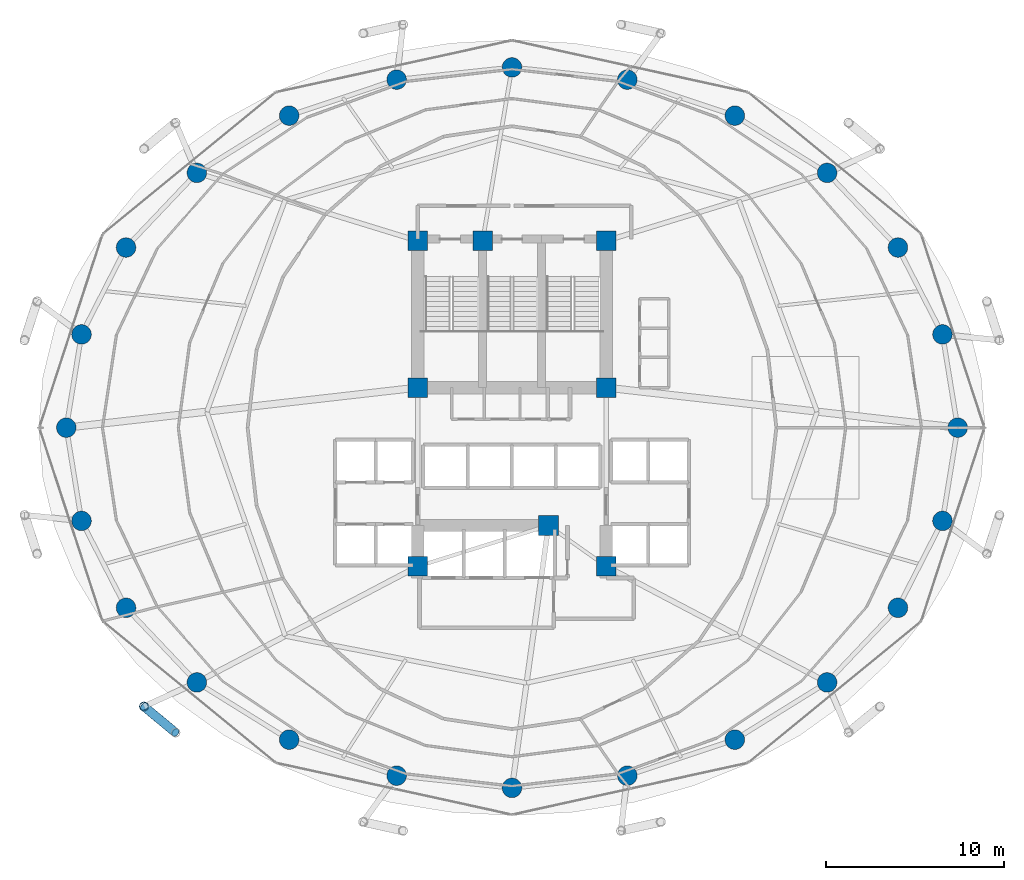
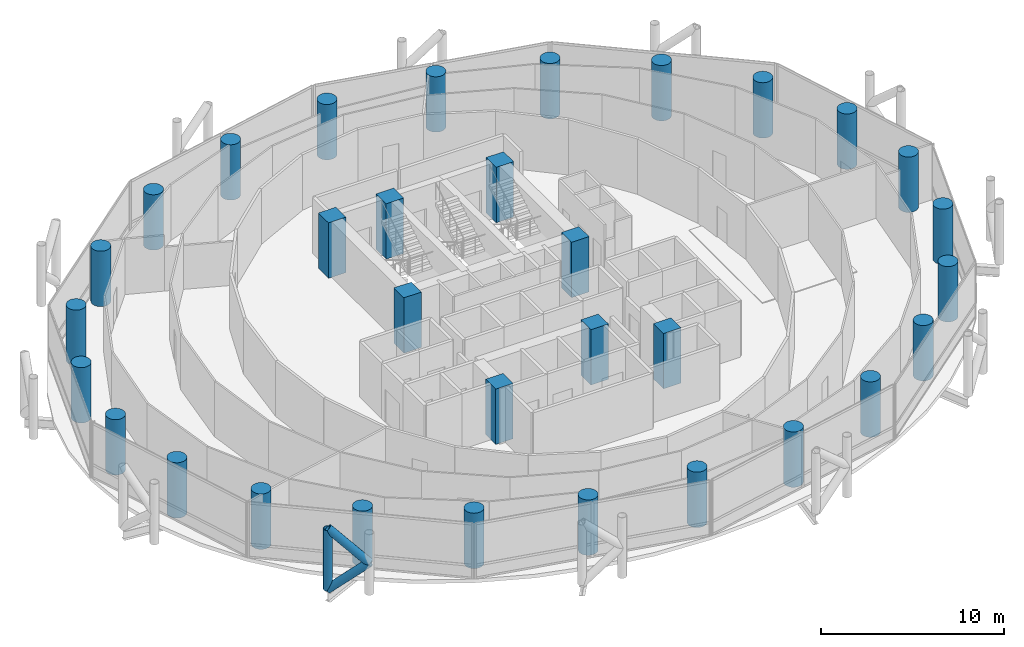
# One storey, part 1 of 27: 32 columns, 3 members.
"""IFC4 building model written with IfcOpenShell, lengths in metres."""

from ifc_helpers import new_model, si_unit, direction, frame, origin, origin_2d, place, context, subcontext, project, spatial, rectangle, circle, hollow_circle, extrude, material, material_profile, profile_set, type_object, element, save


model = new_model("IFC4")

# Units and contexts
model_context = context("Model", 3, precision=1e-05, world=origin(), true_north=direction((0.0, 1.0)))
body_context = subcontext(model_context, "Body", "Model", "MODEL_VIEW")
ifc_project = project(units=[si_unit("LENGTHUNIT", "METRE"), si_unit("AREAUNIT", "SQUARE_METRE"), si_unit("VOLUMEUNIT", "CUBIC_METRE"), si_unit("PLANEANGLEUNIT", "RADIAN"), si_unit("MASSUNIT", "GRAM", prefix="KILO")], contexts=[model_context])

# Site, building, storey
site_placement = place(None, origin())
site = spatial("IfcSite", under=ifc_project, at=site_placement, CompositionType="ELEMENT")
building_placement = place(site_placement, origin())
building = spatial("IfcBuilding", under=site, at=building_placement, Name="Nuhasar Tower", CompositionType="ELEMENT")
storey_placement = place(building_placement, frame((0.0, 0.0, 102.0)))
storey = spatial("IfcBuildingStorey", under=building, at=storey_placement, Name="L24", CompositionType="ELEMENT", Elevation=102.0)

# Columns
ifc_material_1 = material(Name="Concrete C80/95", Category="concrete")
ifc_material_profile_1 = material_profile(ifc_material_1, circle(Radius=0.550048828125, at=origin_2d()), Name="CFT1100")
ifc_profile_set_1 = profile_set([ifc_material_profile_1], Name="Concrete C80/95")
column_type_1 = type_object("IfcColumnType", Name="COL-CFT-1100", PredefinedType="COLUMN", material=ifc_profile_set_1)
for number, where, z_axis, x_axis, name in (
    (1, (64.050048828125, 26.800048828125, 0.0), (0.0, 0.0, 1.0), (1.0, 0.0, 0.0), "L24 Perimeter Composite Column TC-01"),
    (2, (63.196044921875, 32.041015625, 0.0), (0.0, 0.0, 1.0), (1.0, 0.0, 0.0), "L24 Perimeter Composite Column TC-02"),
    (3, (60.694091796875, 36.925048828125, 0.0), (0.0, 0.0, 1.0), (1.0, 0.0, 0.0), "L24 Perimeter Composite Column TC-03"),
    (4, (56.712890625, 41.118896484375, 0.0), (0.0, 0.0, 1.0), (1.0, 0.0, 0.0), "L24 Perimeter Composite Column TC-04"),
    (5, (51.52490234375, 44.3369140625, 0.0), (0.0, 0.0, 1.0), (1.0, 0.0, 0.0), "L24 Perimeter Composite Column TC-05"),
    (6, (45.48291015625, 46.360107421875, 0.0), (0.0, 0.0, 1.0), (1.0, 0.0, 0.0), "L24 Perimeter Composite Column TC-06"),
    (7, (39.0, 47.050048828125, 0.0), (0.0, 0.0, 1.0), (1.0, 0.0, 0.0), "L24 Perimeter Composite Column TC-07"),
    (8, (32.51708984375, 46.360107421875, 0.0), (0.0, 0.0, 1.0), (1.0, 0.0, 0.0), "L24 Perimeter Composite Column TC-08"),
    (9, (26.47509765625, 44.3369140625, 0.0), (0.0, 0.0, 1.0), (1.0, 0.0, 0.0), "L24 Perimeter Composite Column TC-09"),
    (10, (21.287109375, 41.118896484375, 0.0), (0.0, 0.0, 1.0), (1.0, 0.0, 0.0), "L24 Perimeter Composite Column TC-10"),
    (11, (17.305908203125, 36.925048828125, 0.0), (0.0, 0.0, 1.0), (1.0, 0.0, 0.0), "L24 Perimeter Composite Column TC-11"),
    (12, (14.803955078125, 32.041015625, 0.0), (0.0, 0.0, 1.0), (1.0, 0.0, 0.0), "L24 Perimeter Composite Column TC-12"),
    (13, (13.949951171875, 26.800048828125, 0.0), (0.0, 0.0, 1.0), (1.0, 0.0, 0.0), "L24 Perimeter Composite Column TC-13"),
    (14, (14.803955078125, 21.55908203125, 0.0), (0.0, 0.0, 1.0), (1.0, 0.0, 0.0), "L24 Perimeter Composite Column TC-14"),
    (15, (17.305908203125, 16.675048828125, 0.0), (0.0, 0.0, 1.0), (1.0, 0.0, 0.0), "L24 Perimeter Composite Column TC-15"),
    (16, (21.287109375, 12.48095703125, 0.0), (0.0, 0.0, 1.0), (1.0, 0.0, 0.0), "L24 Perimeter Composite Column TC-16"),
    (17, (26.47509765625, 9.262939453125, 0.0), (0.0, 0.0, 1.0), (1.0, 0.0, 0.0), "L24 Perimeter Composite Column TC-17"),
    (18, (32.51708984375, 7.239990234375, 0.0), (0.0, 0.0, 1.0), (1.0, 0.0, 0.0), "L24 Perimeter Composite Column TC-18"),
    (19, (39.0, 6.550048828125, 0.0), (0.0, 0.0, 1.0), (1.0, 0.0, 0.0), "L24 Perimeter Composite Column TC-19"),
    (20, (45.48291015625, 7.239990234375, 0.0), (0.0, 0.0, 1.0), (1.0, 0.0, 0.0), "L24 Perimeter Composite Column TC-20"),
    (21, (51.52490234375, 9.262939453125, 0.0), (0.0, 0.0, 1.0), (1.0, 0.0, 0.0), "L24 Perimeter Composite Column TC-21"),
    (22, (56.712890625, 12.48095703125, 0.0), (0.0, 0.0, 1.0), (1.0, 0.0, 0.0), "L24 Perimeter Composite Column TC-22"),
    (23, (60.694091796875, 16.675048828125, 0.0), (0.0, 0.0, 1.0), (1.0, 0.0, 0.0), "L24 Perimeter Composite Column TC-23"),
    (24, (63.196044921875, 21.55908203125, 0.0), (0.0, 0.0, 1.0), (1.0, 0.0, 0.0), "L24 Perimeter Composite Column TC-24"),
):
    element("IfcColumn", number, at=place(storey_placement, frame(where, z_axis=z_axis, x_axis=x_axis)), inside=storey, type_object=column_type_1, Name=name, PredefinedType="COLUMN", context=body_context, shape_type="SweptSolid", body=[
        extrude(circle(Radius=0.550048828125, at=origin_2d()), origin(), (0.0, 0.0, 1.0), 3.699951171875),
    ])
ifc_material_profile_2 = material_profile(ifc_material_1, rectangle(XDim=1.10009765625, YDim=1.10009765625, at=origin_2d()), Name="RC1100X1100")
ifc_profile_set_2 = profile_set([ifc_material_profile_2], Name="Concrete C80/95")
column_type_2 = type_object("IfcColumnType", Name="PIL-RC-1100", PredefinedType="PILASTER", material=ifc_profile_set_2)
for number, where, z_axis, x_axis, name in (
    (25, (33.699951171875, 19.0, 0.0), (0.0, 0.0, 1.0), (1.0, 0.0, 0.0), "L24 Core Boundary Pilaster CC-01"),
    (26, (41.050048828125, 21.300048828125, 0.0), (0.0, 0.0, 1.0), (1.0, 0.0, 0.0), "L24 Core Boundary Pilaster CC-02"),
    (27, (44.300048828125, 19.0, 0.0), (0.0, 0.0, 1.0), (1.0, 0.0, 0.0), "L24 Core Boundary Pilaster CC-03"),
    (28, (44.300048828125, 29.050048828125, 0.0), (0.0, 0.0, 1.0), (1.0, 0.0, 0.0), "L24 Core Boundary Pilaster CC-04"),
    (29, (44.300048828125, 37.300048828125, 0.0), (0.0, 0.0, 1.0), (1.0, 0.0, 0.0), "L24 Core Boundary Pilaster CC-05"),
    (30, (37.35009765625, 37.300048828125, 0.0), (0.0, 0.0, 1.0), (1.0, 0.0, 0.0), "L24 Core Boundary Pilaster CC-06"),
    (31, (33.699951171875, 37.300048828125, 0.0), (0.0, 0.0, 1.0), (1.0, 0.0, 0.0), "L24 Core Boundary Pilaster CC-07"),
    (32, (33.699951171875, 29.050048828125, 0.0), (0.0, 0.0, 1.0), (1.0, 0.0, 0.0), "L24 Core Boundary Pilaster CC-08"),
):
    element("IfcColumn", number, at=place(storey_placement, frame(where, z_axis=z_axis, x_axis=x_axis)), inside=storey, type_object=column_type_2, Name=name, PredefinedType="PILASTER", context=body_context, shape_type="SweptSolid", body=[
        extrude(rectangle(XDim=1.10009765625, YDim=1.10009765625, at=origin_2d()), origin(), (0.0, 0.0, 1.0), 3.699951171875),
    ])

# Members
ifc_material_2 = material(Name="Steel S460", Category="steel")
ifc_material_profile_3 = material_profile(ifc_material_2, hollow_circle(Radius=0.25390625, WallThickness=0.025390625, at=origin_2d()), Name="HSS508X25.4")
ifc_profile_set_3 = profile_set([ifc_material_profile_3], Name="Steel S460")
member_type = type_object("IfcMemberType", Name="EXO-BRONZE-508", PredefinedType="BRACE", material=ifc_profile_set_3)
member_1_placement = place(storey_placement, frame((18.31494140625, 11.12890625, 0.0), z_axis=(0.0, 0.0, 1.0), x_axis=(1.0, 0.0, 0.0)))
element("IfcMember", 33, at=member_1_placement, inside=storey, type_object=member_type, Name="L24 Exoskeleton Chord Column EC-08A", PredefinedType="BRACE", context=body_context, shape_type="SweptSolid", body=[
    extrude(hollow_circle(Radius=0.25390625, WallThickness=0.025390625, at=origin_2d()), origin(), (0.0, 0.0, 1.0), 4.050048828125),
])
member_2_placement = place(storey_placement, frame((18.31494140625, 11.12890625, 0.0), z_axis=(0.578101613167, -0.478937034992, 0.660619286251), x_axis=(0.637969333506, 0.770061769929, 0.0)))
element("IfcMember", 34, at=member_2_placement, inside=storey, type_object=member_type, Name="L24 Bronze Diagrid Brace W1-08", PredefinedType="BRACE", context=body_context, shape_type="SweptSolid", body=[
    extrude(hollow_circle(Radius=0.25390625, WallThickness=0.025390625, at=origin_2d()), origin(), (0.0, 0.0, 1.0), 3.065185546875),
])
member_3_placement = place(storey_placement, frame((20.0869140625, 9.660888671875, 2.02490234375), z_axis=(-0.578071194894, 0.478911834514, 0.660664172175), x_axis=(-0.637969333506, -0.770061769929, 0.0)))
element("IfcMember", 35, at=member_3_placement, inside=storey, type_object=member_type, Name="L24 Bronze Diagrid Brace W2-08", PredefinedType="BRACE", context=body_context, shape_type="SweptSolid", body=[
    extrude(hollow_circle(Radius=0.25390625, WallThickness=0.025390625, at=origin_2d()), origin(), (0.0, 0.0, 1.0), 3.0654296875),
])

save(model, "model.ifc")
